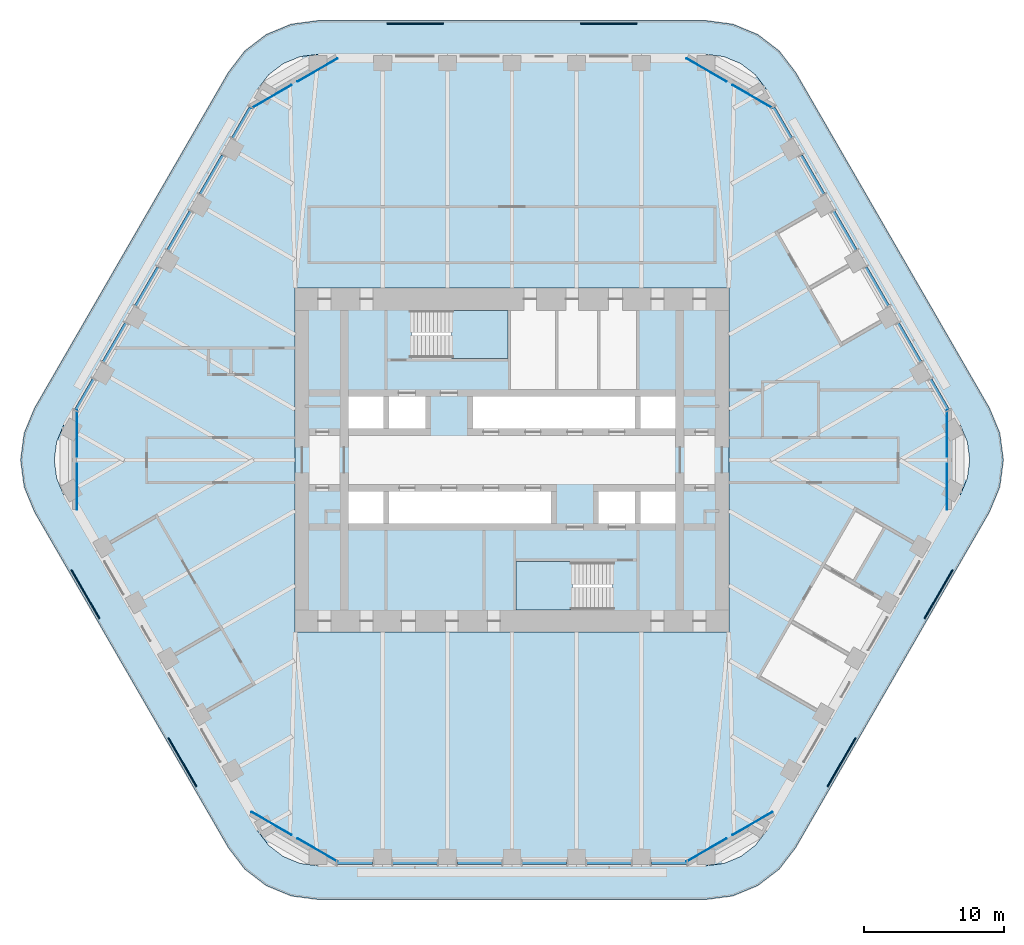
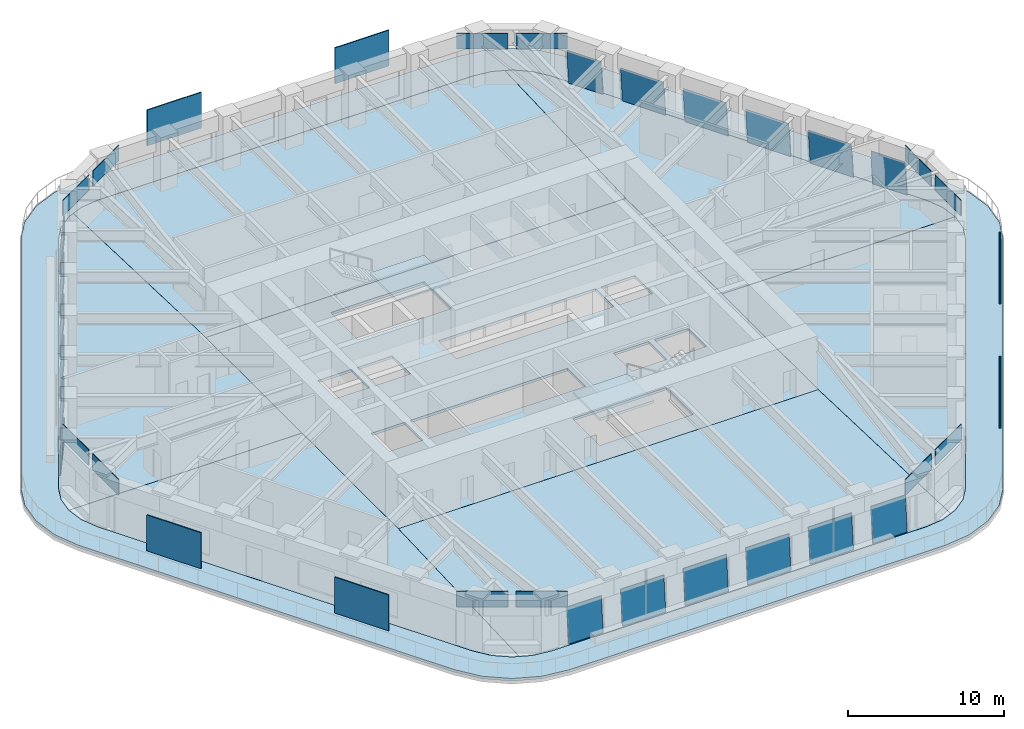
# One storey, part 13 of 20: 36 plates, 10 slabs, 20 elements without a shape of their own.
"""IFC4 building model written with IfcOpenShell, lengths in metres."""

from ifc_helpers import new_model, si_unit, direction, frame, origin, origin_2d, place, context, subcontext, project, spatial, polyline, rectangle, outline, extrude, material, layer, layer_set, type_object, element, aggregate, save


model = new_model("IFC4")

# Units and contexts
model_context = context("Model", 3, precision=1e-05, world=origin(), true_north=direction((0.0, 1.0)))
body_context = subcontext(model_context, "Body", "Model", "MODEL_VIEW")
ifc_project = project(units=[si_unit("LENGTHUNIT", "METRE"), si_unit("AREAUNIT", "SQUARE_METRE"), si_unit("VOLUMEUNIT", "CUBIC_METRE"), si_unit("PLANEANGLEUNIT", "RADIAN"), si_unit("MASSUNIT", "GRAM", prefix="KILO")], contexts=[model_context])

# Site, building, storey
site_placement = place(None, origin())
site = spatial("IfcSite", under=ifc_project, at=site_placement, CompositionType="ELEMENT")
building_placement = place(site_placement, origin())
building = spatial("IfcBuilding", under=site, at=building_placement, Name="Tarfa Lantern Tower", CompositionType="ELEMENT")
storey_placement = place(building_placement, frame((0.0, 0.0, 249.10009765625)))
storey = spatial("IfcBuildingStorey", under=building, at=storey_placement, Name="L56", CompositionType="ELEMENT", Elevation=249.10009765625)

# Slab
ifc_material_1 = material(Name="Concrete C40/50", Category="concrete")
ifc_layer_1 = layer(ifc_material_1, 0.199951171875)
ifc_layer_set_1 = layer_set([ifc_layer_1], Name="BS2 BALCONY SLAB 200")
slab_type_1 = type_object("IfcSlabType", Name="BS2 BALCONY SLAB 200", PredefinedType="FLOOR", material=ifc_layer_set_1)
slab_1_placement = place(storey_placement, frame((0.0, 0.0, -0.2001953125)))
element("IfcSlab", 1, at=slab_1_placement, inside=storey, type_object=slab_type_1, Name="Balcony L56", PredefinedType="FLOOR", context=body_context, shape_type="SweptSolid", body=[
    extrude(outline(polyline([(34.121337890625, 3.699951171875), (20.264892578125, 27.699951171875), (19.089111328125, 29.232666015625), (17.556396484375, 30.40869140625), (15.771728515625, 31.14794921875), (13.8564453125, 31.39990234375), (-13.8564453125, 31.39990234375), (-15.771728515625, 31.14794921875), (-17.556396484375, 30.40869140625), (-19.089111328125, 29.232666015625), (-20.264892578125, 27.699951171875), (-34.121337890625, 3.699951171875), (-34.860595703125, 1.915283203125), (-35.11279296875, 0.0), (-34.860595703125, -1.915283203125), (-34.121337890625, -3.699951171875), (-20.264892578125, -27.699951171875), (-19.089111328125, -29.232666015625), (-17.556396484375, -30.40869140625), (-15.771728515625, -31.14794921875), (-13.8564453125, -31.39990234375), (13.8564453125, -31.39990234375), (15.771728515625, -31.14794921875), (17.556396484375, -30.40869140625), (19.089111328125, -29.232666015625), (20.264892578125, -27.699951171875), (34.121337890625, -3.699951171875), (34.860595703125, -1.915283203125), (35.11279296875, 0.0), (34.860595703125, 1.915283203125), (34.121337890625, 3.699951171875)]), holes=[polyline([(32.04296875, 2.5), (18.1865234375, 26.5), (17.391845703125, 27.53564453125), (16.3564453125, 28.330078125), (15.150390625, 28.82958984375), (13.8564453125, 29.0), (-13.8564453125, 29.0), (-15.150390625, 28.82958984375), (-16.3564453125, 28.330078125), (-17.391845703125, 27.53564453125), (-18.1865234375, 26.5), (-32.04296875, 2.5), (-32.54248046875, 1.294189453125), (-32.712890625, 0.0), (-32.54248046875, -1.294189453125), (-32.04296875, -2.5), (-18.1865234375, -26.5), (-17.391845703125, -27.53564453125), (-16.3564453125, -28.330078125), (-15.150390625, -28.82958984375), (-13.8564453125, -29.0), (13.8564453125, -29.0), (15.150390625, -28.82958984375), (16.3564453125, -28.330078125), (17.391845703125, -27.53564453125), (18.1865234375, -26.5), (32.04296875, -2.5), (32.54248046875, -1.294189453125), (32.712890625, 0.0), (32.54248046875, 1.294189453125), (32.04296875, 2.5)])]), origin(), (0.0, 0.0, 1.0), 0.2001953125),
])

# Curtain wall, plate
ifc_material_2 = material(Name="Aluminium framed curtain wall", Category="aluminium")
curtain_wall_type = type_object("IfcCurtainWallType", Name="CW3 CANTED GLAZING HIGH ZONE 2800", PredefinedType="USERDEFINED", material=ifc_material_2)
curtain_wall_1_placement = place(storey_placement, origin())
curtain_wall_1 = element("IfcCurtainWall", 2, at=curtain_wall_1_placement, inside=storey, type_object=curtain_wall_type, Name="CW3 NE L56", ObjectType="CURTAIN WALL", PredefinedType="USERDEFINED")
ifc_material_3 = material(Name="Laminated double glazing", Category="glass")
ifc_layer_2 = layer(ifc_material_3, 0.028076171875)
ifc_layer_set_2 = layer_set([ifc_layer_2], Name="CWP1 DOUBLE GLAZED PANEL")
plate_type_1 = type_object("IfcPlateType", Name="CWP1 DOUBLE GLAZED PANEL", PredefinedType="CURTAIN_PANEL", material=ifc_layer_set_2)
plate_1_placement = place(storey_placement, frame((31.27392578125, 3.632080078125, 0.0), z_axis=(0.862597202966, 0.498009566603, 0.088952442392), x_axis=(-0.499991881437, 0.866030090981, 3.689153e-06)))
plate_1 = element("IfcPlate", 3, at=plate_1_placement, type_object=plate_type_1, Name="CW3 panel 1.1", PredefinedType="CURTAIN_PANEL", context=body_context, shape_type="SweptSolid", body=[
    extrude(outline(polyline([(0.0, 0.0), (2.5389220661234546, 1.3877787807814457e-17), (2.538926765762203, 2.7457383666676773), (0.0001267679691771074, 2.745757173712244), (0.0, 0.0)])), origin(), (0.0, 0.0, -1.0), 0.028076171875),
])
aggregate(curtain_wall_1, [plate_1])

curtain_wall_2_placement = place(storey_placement, origin())
curtain_wall_2 = element("IfcCurtainWall", 4, at=curtain_wall_2_placement, inside=storey, type_object=curtain_wall_type, Name="CW3 NE L56", ObjectType="CURTAIN WALL", PredefinedType="USERDEFINED")
plate_2_placement = place(storey_placement, frame((29.28955078125, 7.069091796875, 0.0), z_axis=(0.86260842552, 0.497990127551, 0.088952442822), x_axis=(-0.499972306885, 0.866041391816, 2.937194e-06)))
plate_2 = element("IfcPlate", 5, at=plate_2_placement, type_object=plate_type_1, Name="CW3 panel 1.1", PredefinedType="CURTAIN_PANEL", context=body_context, shape_type="SweptSolid", body=[
    extrude(outline(polyline([(0.0, 0.0), (3.1889598048081567, 1.3877787807814457e-17), (3.1889569298809066, 2.745738366670142), (0.00011918862423585502, 2.745757174051659), (0.0, 0.0)])), origin(), (0.0, 0.0, -1.0), 0.028076171875),
])
aggregate(curtain_wall_2, [plate_2])

curtain_wall_3_placement = place(storey_placement, origin())
curtain_wall_3 = element("IfcCurtainWall", 6, at=curtain_wall_3_placement, inside=storey, type_object=curtain_wall_type, Name="CW3 NE L56", ObjectType="CURTAIN WALL", PredefinedType="USERDEFINED")
plate_3_placement = place(storey_placement, frame((26.97998046875, 11.069091796875, 0.0), z_axis=(0.86260842552, 0.497990127551, 0.088952442822), x_axis=(-0.499971852533, 0.866041654117, -2.937306e-06)))
plate_3 = element("IfcPlate", 7, at=plate_3_placement, type_object=plate_type_1, Name="CW3 panel 1.1", PredefinedType="CURTAIN_PANEL", context=body_context, shape_type="SweptSolid", body=[
    extrude(outline(polyline([(0.0, 0.0), (3.1888377413121325, -1.3877787807814457e-17), (3.188940735790751, 2.745757174706863), (-1.9068961940963056e-05, 2.7457383666054302), (0.0, 0.0)])), origin(), (0.0, 0.0, -1.0), 0.028076171875),
])
aggregate(curtain_wall_3, [plate_3])

curtain_wall_4_placement = place(storey_placement, origin())
curtain_wall_4 = element("IfcCurtainWall", 8, at=curtain_wall_4_placement, inside=storey, type_object=curtain_wall_type, Name="CW3 NE L56", ObjectType="CURTAIN WALL", PredefinedType="USERDEFINED")
plate_4_placement = place(storey_placement, frame((24.670654296875, 15.069091796875, 0.0), z_axis=(0.862594869705, 0.498020429106, 0.088914244931), x_axis=(-0.500000789788, 0.8660249478, 0.0)))
plate_4 = element("IfcPlate", 9, at=plate_4_placement, type_object=plate_type_1, Name="CW3 panel 1.1", PredefinedType="CURTAIN_PANEL", context=body_context, shape_type="SweptSolid", body=[
    extrude(outline(polyline([(0.0, 0.0), (3.1889598065466314, 4.163336342344337e-17), (3.1889569281424333, 2.7457383686892407), (-2.8784041983250337e-06, 2.7457383686892407), (0.0, 0.0)])), origin(), (0.0, 0.0, -1.0), 0.028076171875),
])
aggregate(curtain_wall_4, [plate_4])

curtain_wall_5_placement = place(storey_placement, origin())
curtain_wall_5 = element("IfcCurtainWall", 10, at=curtain_wall_5_placement, inside=storey, type_object=curtain_wall_type, Name="CW3 NE L56", ObjectType="CURTAIN WALL", PredefinedType="USERDEFINED")
plate_5_placement = place(storey_placement, frame((22.361328125, 19.069091796875, 0.0), z_axis=(0.86260842552, 0.497990127551, 0.088952442822), x_axis=(-0.499972306885, 0.866041391816, 2.937194e-06)))
plate_5 = element("IfcPlate", 11, at=plate_5_placement, type_object=plate_type_1, Name="CW3 panel 1.1", PredefinedType="CURTAIN_PANEL", context=body_context, shape_type="SweptSolid", body=[
    extrude(outline(polyline([(0.0, 0.0), (3.1889598048081567, 1.3877787807814457e-17), (3.1889569298809066, 2.745738366670142), (0.00011918862423585502, 2.745757174051659), (0.0, 0.0)])), origin(), (0.0, 0.0, -1.0), 0.028076171875),
])
aggregate(curtain_wall_5, [plate_5])

curtain_wall_6_placement = place(storey_placement, origin())
curtain_wall_6 = element("IfcCurtainWall", 12, at=curtain_wall_6_placement, inside=storey, type_object=curtain_wall_type, Name="CW3 NE L56", ObjectType="CURTAIN WALL", PredefinedType="USERDEFINED")
plate_6_placement = place(storey_placement, frame((20.0517578125, 23.069091796875, 0.0), z_axis=(0.86262089324, 0.497975352427, 0.088914244756), x_axis=(-0.499955533855, 0.866051074803, 0.0)))
plate_6 = element("IfcPlate", 13, at=plate_6_placement, type_object=plate_type_1, Name="CW3 panel 1.1", PredefinedType="CURTAIN_PANEL", context=body_context, shape_type="SweptSolid", body=[
    extrude(outline(polyline([(0.0, 0.0), (2.538800000046309, 1.3877787807814457e-17), (2.538784364039763, 2.745738368646229), (-1.5636006546276837e-05, 2.745738368646229), (0.0, 0.0)])), origin(), (0.0, 0.0, -1.0), 0.028076171875),
])
aggregate(curtain_wall_6, [plate_6])

curtain_wall_7_placement = place(storey_placement, origin())
curtain_wall_7 = element("IfcCurtainWall", 14, at=curtain_wall_7_placement, inside=storey, type_object=curtain_wall_type, Name="CW3 NW L56", ObjectType="CURTAIN WALL", PredefinedType="USERDEFINED")
plate_7_placement = place(storey_placement, frame((-18.782470703125, 25.267822265625, 0.0), z_axis=(-0.86262089324, 0.497975352427, 0.088914244756), x_axis=(-0.499955533855, -0.866051074803, 0.0)))
plate_7 = element("IfcPlate", 15, at=plate_7_placement, type_object=plate_type_1, Name="CW3 panel 1.1", PredefinedType="CURTAIN_PANEL", context=body_context, shape_type="SweptSolid", body=[
    extrude(outline(polyline([(0.0, 0.0), (2.538800000046309, -1.3877787807814457e-17), (2.5388156360528553, 2.745738368646229), (1.5636006546276837e-05, 2.745738368646229), (0.0, 0.0)])), origin(), (0.0, 0.0, -1.0), 0.028076171875),
])
aggregate(curtain_wall_7, [plate_7])

curtain_wall_8_placement = place(storey_placement, origin())
curtain_wall_8 = element("IfcCurtainWall", 16, at=curtain_wall_8_placement, inside=storey, type_object=curtain_wall_type, Name="CW3 NW L56", ObjectType="CURTAIN WALL", PredefinedType="USERDEFINED")
plate_8_placement = place(storey_placement, frame((-20.766845703125, 21.830810546875, 0.0), z_axis=(-0.86260842552, 0.497990127551, 0.088952442822), x_axis=(-0.499972306885, -0.866041391816, -2.937194e-06)))
plate_8 = element("IfcPlate", 17, at=plate_8_placement, type_object=plate_type_1, Name="CW3 panel 1.1", PredefinedType="CURTAIN_PANEL", context=body_context, shape_type="SweptSolid", body=[
    extrude(outline(polyline([(0.0, 0.0), (3.1889598048081567, -1.3877787807814457e-17), (3.1888406161839207, 2.745757174051659), (2.874927249771626e-06, 2.745738366670142), (0.0, 0.0)])), origin(), (0.0, 0.0, -1.0), 0.028076171875),
])
aggregate(curtain_wall_8, [plate_8])

curtain_wall_9_placement = place(storey_placement, origin())
curtain_wall_9 = element("IfcCurtainWall", 18, at=curtain_wall_9_placement, inside=storey, type_object=curtain_wall_type, Name="CW3 NW L56", ObjectType="CURTAIN WALL", PredefinedType="USERDEFINED")
plate_9_placement = place(storey_placement, frame((-23.076171875, 17.830810546875, 0.0), z_axis=(-0.862594869705, 0.498020429106, 0.088914244931), x_axis=(-0.500000789788, -0.8660249478, 0.0)))
plate_9 = element("IfcPlate", 19, at=plate_9_placement, type_object=plate_type_1, Name="CW3 panel 1.1", PredefinedType="CURTAIN_PANEL", context=body_context, shape_type="SweptSolid", body=[
    extrude(outline(polyline([(0.0, 0.0), (3.1889598065466314, -4.163336342344337e-17), (3.1889626849508295, 2.7457383686892407), (2.8784041983250337e-06, 2.7457383686892407), (0.0, 0.0)])), origin(), (0.0, 0.0, -1.0), 0.028076171875),
])
aggregate(curtain_wall_9, [plate_9])

curtain_wall_10_placement = place(storey_placement, origin())
curtain_wall_10 = element("IfcCurtainWall", 20, at=curtain_wall_10_placement, inside=storey, type_object=curtain_wall_type, Name="CW3 NW L56", ObjectType="CURTAIN WALL", PredefinedType="USERDEFINED")
plate_10_placement = place(storey_placement, frame((-25.3857421875, 13.830810546875, 0.0), z_axis=(-0.86260842552, 0.497990127551, 0.088952442822), x_axis=(-0.499971852533, -0.866041654117, 2.937306e-06)))
plate_10 = element("IfcPlate", 21, at=plate_10_placement, type_object=plate_type_1, Name="CW3 panel 1.1", PredefinedType="CURTAIN_PANEL", context=body_context, shape_type="SweptSolid", body=[
    extrude(outline(polyline([(0.0, 0.0), (3.1888377413121325, 1.3877787807814457e-17), (3.1888568102740735, 2.7457383666054302), (-0.00010299447861886726, 2.745757174706863), (0.0, 0.0)])), origin(), (0.0, 0.0, -1.0), 0.028076171875),
])
aggregate(curtain_wall_10, [plate_10])

curtain_wall_11_placement = place(storey_placement, origin())
curtain_wall_11 = element("IfcCurtainWall", 22, at=curtain_wall_11_placement, inside=storey, type_object=curtain_wall_type, Name="CW3 NW L56", ObjectType="CURTAIN WALL", PredefinedType="USERDEFINED")
plate_11_placement = place(storey_placement, frame((-27.695068359375, 9.830810546875, 0.0), z_axis=(-0.86260842552, 0.497990127551, 0.088952442822), x_axis=(-0.499972306885, -0.866041391816, -2.937194e-06)))
plate_11 = element("IfcPlate", 23, at=plate_11_placement, type_object=plate_type_1, Name="CW3 panel 1.1", PredefinedType="CURTAIN_PANEL", context=body_context, shape_type="SweptSolid", body=[
    extrude(outline(polyline([(0.0, 0.0), (3.1889598048081567, -1.3877787807814457e-17), (3.1888406161839207, 2.745757174051659), (2.874927249771626e-06, 2.745738366670142), (0.0, 0.0)])), origin(), (0.0, 0.0, -1.0), 0.028076171875),
])
aggregate(curtain_wall_11, [plate_11])

curtain_wall_12_placement = place(storey_placement, origin())
curtain_wall_12 = element("IfcCurtainWall", 24, at=curtain_wall_12_placement, inside=storey, type_object=curtain_wall_type, Name="CW3 NW L56", ObjectType="CURTAIN WALL", PredefinedType="USERDEFINED")
plate_12_placement = place(storey_placement, frame((-30.00439453125, 5.830810546875, 0.0), z_axis=(-0.862597202966, 0.498009566603, 0.088952442392), x_axis=(-0.499991881437, -0.866030090981, -3.689153e-06)))
plate_12 = element("IfcPlate", 25, at=plate_12_placement, type_object=plate_type_1, Name="CW3 panel 1.1", PredefinedType="CURTAIN_PANEL", context=body_context, shape_type="SweptSolid", body=[
    extrude(outline(polyline([(0.0, 0.0), (2.5389220661234546, -1.3877787807814457e-17), (2.538795298154278, 2.745757173712244), (-4.69963874822574e-06, 2.7457383666676773), (0.0, 0.0)])), origin(), (0.0, 0.0, -1.0), 0.028076171875),
])
aggregate(curtain_wall_12, [plate_12])

curtain_wall_13_placement = place(storey_placement, origin())
curtain_wall_13 = element("IfcCurtainWall", 26, at=curtain_wall_13_placement, inside=storey, type_object=curtain_wall_type, Name="CW3 S L56", ObjectType="CURTAIN WALL", PredefinedType="USERDEFINED")
plate_13_placement = place(storey_placement, frame((-12.491455078125, -28.89990234375, 0.0), z_axis=(0.0, -0.996039111646, 0.08891618565), x_axis=(1.0, 0.0, 0.0)))
plate_13 = element("IfcPlate", 27, at=plate_13_placement, type_object=plate_type_1, Name="CW3 panel 1.1", PredefinedType="CURTAIN_PANEL", context=body_context, shape_type="SweptSolid", body=[
    extrude(outline(polyline([(0.0, 0.0), (2.538818359375, 0.0), (2.538818359375, 2.74573884626796), (0.0, 2.74573884626796), (0.0, 0.0)])), origin(), (0.0, 0.0, -1.0), 0.028076171875),
])
aggregate(curtain_wall_13, [plate_13])

curtain_wall_14_placement = place(storey_placement, origin())
curtain_wall_14 = element("IfcCurtainWall", 28, at=curtain_wall_14_placement, inside=storey, type_object=curtain_wall_type, Name="CW3 S L56", ObjectType="CURTAIN WALL", PredefinedType="USERDEFINED")
plate_14_placement = place(storey_placement, frame((-8.522705078125, -28.89990234375, 0.0), z_axis=(0.0, -0.996039111646, 0.08891618565), x_axis=(1.0, 0.0, 0.0)))
plate_14 = element("IfcPlate", 29, at=plate_14_placement, type_object=plate_type_1, Name="CW3 panel 1.1", PredefinedType="CURTAIN_PANEL", context=body_context, shape_type="SweptSolid", body=[
    extrude(outline(polyline([(0.0, 0.0), (3.18896484375, 0.0), (3.18896484375, 2.74573884626796), (0.0, 2.74573884626796), (0.0, 0.0)])), origin(), (0.0, 0.0, -1.0), 0.028076171875),
])
aggregate(curtain_wall_14, [plate_14])

curtain_wall_15_placement = place(storey_placement, origin())
curtain_wall_15 = element("IfcCurtainWall", 30, at=curtain_wall_15_placement, inside=storey, type_object=curtain_wall_type, Name="CW3 S L56", ObjectType="CURTAIN WALL", PredefinedType="USERDEFINED")
plate_15_placement = place(storey_placement, frame((-3.90380859375, -28.89990234375, 0.0), z_axis=(0.0, -0.996039111646, 0.08891618565), x_axis=(1.0, 0.0, 0.0)))
plate_15 = element("IfcPlate", 31, at=plate_15_placement, type_object=plate_type_1, Name="CW3 panel 1.1", PredefinedType="CURTAIN_PANEL", context=body_context, shape_type="SweptSolid", body=[
    extrude(outline(polyline([(0.0, 0.0), (3.188720703125, 0.0), (3.188720703125, 2.74573884626796), (0.0, 2.74573884626796), (0.0, 0.0)])), origin(), (0.0, 0.0, -1.0), 0.028076171875),
])
aggregate(curtain_wall_15, [plate_15])

curtain_wall_16_placement = place(storey_placement, origin())
curtain_wall_16 = element("IfcCurtainWall", 32, at=curtain_wall_16_placement, inside=storey, type_object=curtain_wall_type, Name="CW3 S L56", ObjectType="CURTAIN WALL", PredefinedType="USERDEFINED")
plate_16_placement = place(storey_placement, frame((0.715087890625, -28.89990234375, 0.0), z_axis=(0.0, -0.996039111646, 0.08891618565), x_axis=(1.0, 0.0, 0.0)))
plate_16 = element("IfcPlate", 33, at=plate_16_placement, type_object=plate_type_1, Name="CW3 panel 1.1", PredefinedType="CURTAIN_PANEL", context=body_context, shape_type="SweptSolid", body=[
    extrude(outline(polyline([(0.0, 0.0), (3.188720703125, 0.0), (3.188720703125, 2.74573884626796), (0.0, 2.74573884626796), (0.0, 0.0)])), origin(), (0.0, 0.0, -1.0), 0.028076171875),
])
aggregate(curtain_wall_16, [plate_16])

curtain_wall_17_placement = place(storey_placement, origin())
curtain_wall_17 = element("IfcCurtainWall", 34, at=curtain_wall_17_placement, inside=storey, type_object=curtain_wall_type, Name="CW3 S L56", ObjectType="CURTAIN WALL", PredefinedType="USERDEFINED")
plate_17_placement = place(storey_placement, frame((5.333740234375, -28.89990234375, 0.0), z_axis=(0.0, -0.996039111646, 0.08891618565), x_axis=(1.0, 0.0, 0.0)))
plate_17 = element("IfcPlate", 35, at=plate_17_placement, type_object=plate_type_1, Name="CW3 panel 1.1", PredefinedType="CURTAIN_PANEL", context=body_context, shape_type="SweptSolid", body=[
    extrude(outline(polyline([(0.0, 0.0), (3.18896484375, 0.0), (3.18896484375, 2.74573884626796), (0.0, 2.74573884626796), (0.0, 0.0)])), origin(), (0.0, 0.0, -1.0), 0.028076171875),
])
aggregate(curtain_wall_17, [plate_17])

curtain_wall_18_placement = place(storey_placement, origin())
curtain_wall_18 = element("IfcCurtainWall", 36, at=curtain_wall_18_placement, inside=storey, type_object=curtain_wall_type, Name="CW3 S L56", ObjectType="CURTAIN WALL", PredefinedType="USERDEFINED")
plate_18_placement = place(storey_placement, frame((9.95263671875, -28.89990234375, 0.0), z_axis=(0.0, -0.996039111646, 0.08891618565), x_axis=(1.0, 0.0, 0.0)))
plate_18 = element("IfcPlate", 37, at=plate_18_placement, type_object=plate_type_1, Name="CW3 panel 1.1", PredefinedType="CURTAIN_PANEL", context=body_context, shape_type="SweptSolid", body=[
    extrude(outline(polyline([(0.0, 0.0), (2.538818359375, 0.0), (2.538818359375, 2.74573884626796), (0.0, 2.74573884626796), (0.0, 0.0)])), origin(), (0.0, 0.0, -1.0), 0.028076171875),
])
aggregate(curtain_wall_18, [plate_18])

# Slabs
ifc_layer_3 = layer(ifc_material_1, 0.199951171875)
ifc_layer_set_3 = layer_set([ifc_layer_3], Name="FS1 FLOOR SLAB 200")
slab_type_2 = type_object("IfcSlabType", Name="FS1 FLOOR SLAB 200", PredefinedType="FLOOR", material=ifc_layer_set_3)
slab_2_placement = place(storey_placement, frame((0.0, 0.0, -0.2001953125)))
element("IfcSlab", 38, at=slab_2_placement, inside=storey, type_object=slab_type_2, Name="Floor slab L56", PredefinedType="FLOOR", context=body_context, shape_type="SweptSolid", body=[
    extrude(outline(polyline([(-15.5, -12.300048828125), (15.5, -12.300048828125), (15.5, 12.300048828125), (-15.5, 12.300048828125), (-15.5, -12.300048828125)]), holes=[polyline([(-11.699951171875, 2.25), (-9.199951171875, 2.25), (-9.199951171875, 4.550048828125), (-11.699951171875, 4.550048828125), (-11.699951171875, 2.25)]), polyline([(-8.800048828125, 2.25), (-6.199951171875, 2.25), (-6.199951171875, 4.550048828125), (-8.800048828125, 4.550048828125), (-8.800048828125, 2.25)]), polyline([(-2.800048828125, 2.25), (8.800048828125, 2.25), (8.800048828125, 4.550048828125), (-2.800048828125, 4.550048828125), (-2.800048828125, 2.25)]), polyline([(9.199951171875, 2.25), (11.699951171875, 2.25), (11.699951171875, 4.550048828125), (9.199951171875, 4.550048828125), (9.199951171875, 2.25)]), polyline([(11.699951171875, -2.25), (9.199951171875, -2.25), (9.199951171875, -4.550048828125), (11.699951171875, -4.550048828125), (11.699951171875, -2.25)]), polyline([(8.800048828125, -2.25), (6.199951171875, -2.25), (6.199951171875, -4.550048828125), (8.800048828125, -4.550048828125), (8.800048828125, -2.25)]), polyline([(2.800048828125, -2.25), (-8.800048828125, -2.25), (-8.800048828125, -4.550048828125), (2.800048828125, -4.550048828125), (2.800048828125, -2.25)]), polyline([(-9.199951171875, -2.25), (-11.699951171875, -2.25), (-11.699951171875, -4.550048828125), (-9.199951171875, -4.550048828125), (-9.199951171875, -2.25)]), polyline([(-7.199951171875, 7.25), (-0.300048828125, 7.25), (-0.300048828125, 10.699951171875), (-7.199951171875, 10.699951171875), (-7.199951171875, 7.25)]), polyline([(7.199951171875, -7.25), (0.300048828125, -7.25), (0.300048828125, -10.699951171875), (7.199951171875, -10.699951171875), (7.199951171875, -7.25)])]), origin(), (0.0, 0.0, 1.0), 0.2001953125),
])
slab_3_placement = place(storey_placement, frame((0.0, 0.0, -0.2001953125)))
element("IfcSlab", 39, at=slab_3_placement, inside=storey, type_object=slab_type_2, Name="Floor slab L56 NE bay", PredefinedType="FLOOR", context=body_context, shape_type="SweptSolid", body=[
    extrude(outline(polyline([(32.041259765625, 2.4990234375), (18.184814453125, 26.498779296875), (17.390625, 27.5341796875), (16.35546875, 28.328369140625), (15.927490234375, 28.505615234375), (15.501953125, 12.300048828125), (15.501953125, 0.001953125), (32.71044921875, 0.001953125), (32.54052734375, 1.29345703125), (32.041259765625, 2.4990234375)])), origin(), (0.0, 0.0, 1.0), 0.2001953125),
])
slab_4_placement = place(storey_placement, frame((0.0, 0.0, -0.2001953125)))
element("IfcSlab", 40, at=slab_4_placement, inside=storey, type_object=slab_type_2, Name="Floor slab L56 N bay", PredefinedType="FLOOR", context=body_context, shape_type="SweptSolid", body=[
    extrude(outline(polyline([(-15.498046875, 12.302001953125), (15.498046875, 12.302001953125), (15.923583984375, 28.50732421875), (15.14990234375, 28.82763671875), (13.856201171875, 28.998046875), (-13.856201171875, 28.998046875), (-15.14990234375, 28.82763671875), (-15.923583984375, 28.50732421875), (-15.498046875, 12.302001953125)])), origin(), (0.0, 0.0, 1.0), 0.2001953125),
])
slab_5_placement = place(storey_placement, frame((0.0, 0.0, -0.2001953125)))
element("IfcSlab", 41, at=slab_5_placement, inside=storey, type_object=slab_type_2, Name="Floor slab L56 NW bay", PredefinedType="FLOOR", context=body_context, shape_type="SweptSolid", body=[
    extrude(outline(polyline([(-15.501953125, 0.001953125), (-15.501953125, 12.300048828125), (-15.927490234375, 28.505615234375), (-16.35546875, 28.328369140625), (-17.390625, 27.5341796875), (-18.184814453125, 26.498779296875), (-32.041259765625, 2.4990234375), (-32.54052734375, 1.29345703125), (-32.71044921875, 0.001953125), (-15.501953125, 0.001953125)])), origin(), (0.0, 0.0, 1.0), 0.2001953125),
])
slab_6_placement = place(storey_placement, frame((0.0, 0.0, -0.2001953125)))
element("IfcSlab", 42, at=slab_6_placement, inside=storey, type_object=slab_type_2, Name="Floor slab L56 SW bay", PredefinedType="FLOOR", context=body_context, shape_type="SweptSolid", body=[
    extrude(outline(polyline([(-15.501953125, -12.300048828125), (-15.501953125, -0.001953125), (-32.71044921875, -0.001953125), (-32.54052734375, -1.29345703125), (-32.041259765625, -2.4990234375), (-18.184814453125, -26.498779296875), (-17.390625, -27.5341796875), (-16.35546875, -28.328369140625), (-15.927490234375, -28.505615234375), (-15.501953125, -12.300048828125)])), origin(), (0.0, 0.0, 1.0), 0.2001953125),
])
slab_7_placement = place(storey_placement, frame((0.0, 0.0, -0.2001953125)))
element("IfcSlab", 43, at=slab_7_placement, inside=storey, type_object=slab_type_2, Name="Floor slab L56 S bay", PredefinedType="FLOOR", context=body_context, shape_type="SweptSolid", body=[
    extrude(outline(polyline([(15.498046875, -12.302001953125), (-15.498046875, -12.302001953125), (-15.923583984375, -28.50732421875), (-15.14990234375, -28.82763671875), (-13.856201171875, -28.998046875), (13.856201171875, -28.998046875), (15.14990234375, -28.82763671875), (15.923583984375, -28.50732421875), (15.498046875, -12.302001953125)])), origin(), (0.0, 0.0, 1.0), 0.2001953125),
])
slab_8_placement = place(storey_placement, frame((0.0, 0.0, -0.2001953125)))
element("IfcSlab", 44, at=slab_8_placement, inside=storey, type_object=slab_type_2, Name="Floor slab L56 SE bay", PredefinedType="FLOOR", context=body_context, shape_type="SweptSolid", body=[
    extrude(outline(polyline([(15.501953125, -0.001953125), (15.501953125, -12.300048828125), (15.927490234375, -28.505615234375), (16.35546875, -28.328369140625), (17.390625, -27.5341796875), (18.184814453125, -26.498779296875), (32.041259765625, -2.4990234375), (32.54052734375, -1.29345703125), (32.71044921875, -0.001953125), (15.501953125, -0.001953125)])), origin(), (0.0, 0.0, 1.0), 0.2001953125),
])

# Plates
ifc_material_4 = material(Name="Aluminium fascia panel", Category="aluminium")
ifc_layer_4 = layer(ifc_material_4, 0.050048828125)
ifc_layer_set_4 = layer_set([ifc_layer_4], Name="LF1 LOGGIA HEAD FASCIA 50")
plate_type_2 = type_object("IfcPlateType", Name="LF1 LOGGIA HEAD FASCIA 50", PredefinedType="USERDEFINED", material=ifc_layer_set_4)
for number, where, z_axis, x_axis, name in (
    (45, (17.18994140625, 25.972900390625, 2.7998046875), (0.0, 0.0, 1.0), (-0.866025403784, 0.5, 0.0), "Garden head fascia NE-N"),
    (46, (13.898193359375, 27.873291015625, 2.7998046875), (0.0, 0.0, 1.0), (-0.866025403784, 0.5, 0.0), "Garden head fascia NE-N"),
    (47, (-13.898193359375, 27.873291015625, 2.7998046875), (0.0, 0.0, 1.0), (-0.866025403784, -0.5, 0.0), "Garden head fascia N-NW"),
    (48, (-17.18994140625, 25.972900390625, 2.7998046875), (0.0, 0.0, 1.0), (-0.866025403784, -0.5, 0.0), "Garden head fascia N-NW"),
    (49, (-31.088134765625, 1.900390625, 2.7998046875), (0.0, 0.0, 1.0), (0.0, -1.0, 0.0), "Garden head fascia NW-SW"),
    (50, (-31.088134765625, -1.900390625, 2.7998046875), (0.0, 0.0, 1.0), (0.0, -1.0, 0.0), "Garden head fascia NW-SW"),
    (51, (-17.18994140625, -25.972900390625, 2.7998046875), (0.0, 0.0, 1.0), (0.866025403784, -0.5, 0.0), "Garden head fascia SW-S"),
    (52, (-13.898193359375, -27.873291015625, 2.7998046875), (0.0, 0.0, 1.0), (0.866025403784, -0.5, 0.0), "Garden head fascia SW-S"),
    (53, (13.898193359375, -27.873291015625, 2.7998046875), (0.0, 0.0, 1.0), (0.866025403784, 0.5, 0.0), "Garden head fascia S-SE"),
    (54, (17.18994140625, -25.972900390625, 2.7998046875), (0.0, 0.0, 1.0), (0.866025403784, 0.5, 0.0), "Garden head fascia S-SE"),
    (55, (31.088134765625, -1.900390625, 2.7998046875), (0.0, 0.0, 1.0), (0.0, 1.0, 0.0), "Garden head fascia SE-NE"),
    (56, (31.088134765625, 1.900390625, 2.7998046875), (0.0, 0.0, 1.0), (0.0, 1.0, 0.0), "Garden head fascia SE-NE"),
):
    element("IfcPlate", number, at=place(storey_placement, frame(where, z_axis=z_axis, x_axis=x_axis)), inside=storey, type_object=plate_type_2, Name=name, ObjectType="FASCIA", PredefinedType="USERDEFINED", context=body_context, shape_type="SweptSolid", body=[
        extrude(rectangle(XDim=3.30078125, YDim=0.050048828125, at=origin_2d()), origin(), (0.0, 0.0, 1.0), 1.199951171875),
    ])
ifc_material_5 = material(Name="Perforated limestone screen", Category="masonry")
ifc_layer_5 = layer(ifc_material_5, 0.080078125)
ifc_layer_set_5 = layer_set([ifc_layer_5], Name="SC1 STONE SCREEN 80")
plate_type_3 = type_object("IfcPlateType", Name="SC1 STONE SCREEN 80", PredefinedType="USERDEFINED", material=ifc_layer_set_5)
for number, where, z_axis, x_axis, name in (
    (57, (6.92822265625, 31.199951171875, 1.19970703125), (0.0, 0.0, 1.0), (-1.0, 0.0, 0.0), "Stone screen N 1"),
    (58, (-6.92822265625, 31.199951171875, 1.19970703125), (0.0, 0.0, 1.0), (-1.0, 0.0, 0.0), "Stone screen N 2"),
    (59, (-30.484130859375, -9.60009765625, 1.19970703125), (0.0, 0.0, 1.0), (0.5, -0.866025403784, 0.0), "Stone screen SW 1"),
    (60, (-23.555908203125, -21.60009765625, 1.19970703125), (0.0, 0.0, 1.0), (0.5, -0.866025403784, 0.0), "Stone screen SW 2"),
    (61, (23.555908203125, -21.60009765625, 1.19970703125), (0.0, 0.0, 1.0), (0.5, 0.866025403784, 0.0), "Stone screen SE 1"),
    (62, (30.484130859375, -9.60009765625, 1.19970703125), (0.0, 0.0, 1.0), (0.5, 0.866025403784, 0.0), "Stone screen SE 2"),
):
    element("IfcPlate", number, at=place(storey_placement, frame(where, z_axis=z_axis, x_axis=x_axis)), inside=storey, type_object=plate_type_3, Name=name, ObjectType="SCREEN", PredefinedType="USERDEFINED", context=body_context, shape_type="SweptSolid", body=[
        extrude(rectangle(XDim=4.0, YDim=0.080078125, at=origin_2d()), origin(), (0.0, 0.0, 1.0), 2.800048828125),
    ])

# Stair, slab
stair_type = type_object("IfcStairType", Name="ST-T10 HALF-TURN STAIR 4200 RISE", PredefinedType="HALF_TURN_STAIR", material=ifc_material_1)
stair_1_placement = place(storey_placement, origin())
stair_1 = element("IfcStair", 63, at=stair_1_placement, inside=storey, type_object=stair_type, Name="Stair ST1", PredefinedType="HALF_TURN_STAIR")
ifc_layer_6 = layer(ifc_material_1, 0.199951171875)
ifc_layer_set_6 = layer_set([ifc_layer_6], Name="SL1 STAIR LANDING 200")
slab_type_3 = type_object("IfcSlabType", Name="SL1 STAIR LANDING 200", PredefinedType="LANDING", material=ifc_layer_set_6)
slab_9_placement = place(storey_placement, frame((0.0, 0.0, 1.89990234375)))
slab_9 = element("IfcSlab", 64, at=slab_9_placement, type_object=slab_type_3, Name="ST1 landing 1", PredefinedType="LANDING", context=body_context, shape_type="SweptSolid", body=[
    extrude(outline(polyline([(-4.320068359375, 7.25), (-0.300048828125, 7.25), (-0.300048828125, 10.699951171875), (-4.320068359375, 10.699951171875), (-4.320068359375, 7.25)])), origin(), (0.0, 0.0, 1.0), 0.199951171875),
])
aggregate(stair_1, [slab_9])

stair_2_placement = place(storey_placement, origin())
stair_2 = element("IfcStair", 65, at=stair_2_placement, inside=storey, type_object=stair_type, Name="Stair ST2", PredefinedType="HALF_TURN_STAIR")
slab_10_placement = place(storey_placement, frame((0.0, 0.0, 1.89990234375)))
slab_10 = element("IfcSlab", 66, at=slab_10_placement, type_object=slab_type_3, Name="ST2 landing 1", PredefinedType="LANDING", context=body_context, shape_type="SweptSolid", body=[
    extrude(outline(polyline([(4.320068359375, -7.25), (0.300048828125, -7.25), (0.300048828125, -10.699951171875), (4.320068359375, -10.699951171875), (4.320068359375, -7.25)])), origin(), (0.0, 0.0, 1.0), 0.199951171875),
])
aggregate(stair_2, [slab_10])

save(model, "model.ifc")
